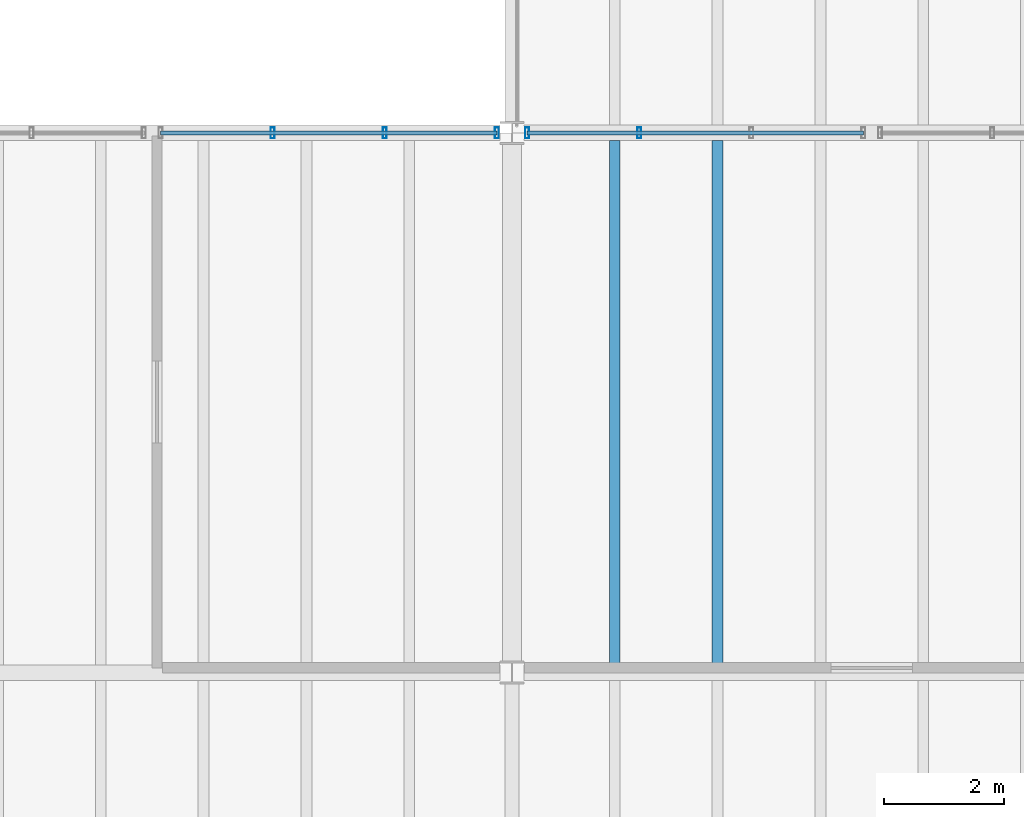
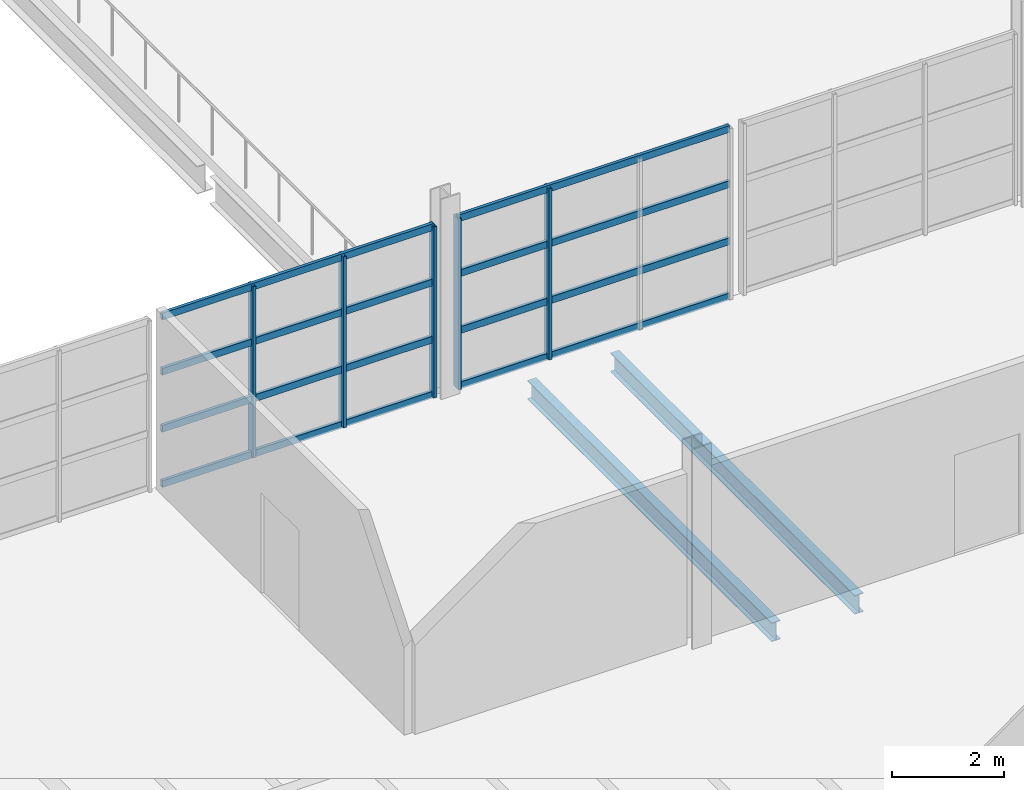
# One storey, part 31 of 78: 13 members, 2 beams, 2 elements without a shape of their own.
"""IFC4 building model written with IfcOpenShell, lengths in metres."""

from ifc_helpers import new_model, si_unit, direction, frame, origin, origin_2d, place, context, subcontext, project, spatial, hollow_rectangle, i_section, extrude, material, material_profile, profile_set, type_object, element, aggregate, save


model = new_model("IFC4")

# Units and contexts
model_context = context("Model", 3, precision=1e-05, world=origin(), true_north=direction((0.0, 1.0)))
body_context = subcontext(model_context, "Body", "Model", "MODEL_VIEW")
ifc_project = project(units=[si_unit("LENGTHUNIT", "METRE"), si_unit("AREAUNIT", "SQUARE_METRE"), si_unit("VOLUMEUNIT", "CUBIC_METRE"), si_unit("PLANEANGLEUNIT", "RADIAN"), si_unit("MASSUNIT", "GRAM", prefix="KILO")], contexts=[model_context])

# Site, building, storey
site_placement = place(None, origin())
site = spatial("IfcSite", under=ifc_project, at=site_placement, CompositionType="ELEMENT")
building_placement = place(site_placement, origin())
building = spatial("IfcBuilding", under=site, at=building_placement, Name="Kelmvaro Bay Concert Hall", CompositionType="ELEMENT")
storey_placement = place(building_placement, frame((0.0, 0.0, 9.300048828125)))
storey = spatial("IfcBuildingStorey", under=building, at=storey_placement, Name="L02", CompositionType="ELEMENT", Elevation=9.300048828125)

# Curtain wall, members
ifc_material_1 = material(Name="Anodised Aluminium and Low-E Insulated Glazing", Category="aluminium")
curtain_wall_type = type_object("IfcCurtainWallType", Name="Upper Salon Waterfront Curtain Wall 4050", PredefinedType="USERDEFINED", material=ifc_material_1)
curtain_wall_1_placement = place(storey_placement, origin())
curtain_wall_1 = element("IfcCurtainWall", 1, at=curtain_wall_1_placement, inside=storey, type_object=curtain_wall_type, Name="Unitised Curtain Wall CW-L02-096", ObjectType="UNITISED GLAZING", PredefinedType="USERDEFINED")
ifc_material_2 = material(Name="Anodised Extruded Aluminium 6063-T6", Category="aluminium")
ifc_material_profile_1 = material_profile(ifc_material_2, hollow_rectangle(XDim=0.06494140625, YDim=0.179931640625, WallThickness=0.00390625, at=origin_2d()), Name="ALU-MUL-180X65")
ifc_profile_set_1 = profile_set([ifc_material_profile_1], Name="Anodised Extruded Aluminium 6063-T6")
member_type_1 = type_object("IfcMemberType", Name="Curtain Mullion ALU 180x65", PredefinedType="MULLION", material=ifc_profile_set_1)
member_1_placement = place(storey_placement, frame((104.009033203125, 39.0, 0.0), z_axis=(0.0, 0.0, 1.0), x_axis=(1.0, 0.0, 0.0)))
member_1 = element("IfcMember", 2, at=member_1_placement, type_object=member_type_1, Name="CW-L02-096 Mullion 02", PredefinedType="MULLION", context=body_context, shape_type="SweptSolid", body=[
    extrude(hollow_rectangle(XDim=0.06494140625, YDim=0.179931640625, WallThickness=0.00390625, at=origin_2d()), origin(), (0.0, 0.0, 1.0), 3.739013671875),
])
member_2_placement = place(storey_placement, frame((105.8779296875, 39.0, 0.0), z_axis=(0.0, 0.0, 1.0), x_axis=(1.0, 0.0, 0.0)))
member_2 = element("IfcMember", 3, at=member_2_placement, type_object=member_type_1, Name="CW-L02-096 Mullion 03", PredefinedType="MULLION", context=body_context, shape_type="SweptSolid", body=[
    extrude(hollow_rectangle(XDim=0.06494140625, YDim=0.179931640625, WallThickness=0.00390625, at=origin_2d()), origin(), (0.0, 0.0, 1.0), 3.739013671875),
])
member_3_placement = place(storey_placement, frame((107.7470703125, 39.0, 0.0), z_axis=(0.0, 0.0, 1.0), x_axis=(1.0, 0.0, 0.0)))
member_3 = element("IfcMember", 4, at=member_3_placement, type_object=member_type_1, Name="CW-L02-096 Mullion 04", PredefinedType="MULLION", context=body_context, shape_type="SweptSolid", body=[
    extrude(hollow_rectangle(XDim=0.06494140625, YDim=0.179931640625, WallThickness=0.00390625, at=origin_2d()), origin(), (0.0, 0.0, 1.0), 3.739013671875),
])

curtain_wall_2_placement = place(storey_placement, origin())
curtain_wall_2 = element("IfcCurtainWall", 5, at=curtain_wall_2_placement, inside=storey, type_object=curtain_wall_type, Name="Unitised Curtain Wall CW-L02-097", ObjectType="UNITISED GLAZING", PredefinedType="USERDEFINED")
member_4_placement = place(storey_placement, frame((108.2529296875, 39.0, 0.0), z_axis=(0.0, 0.0, 1.0), x_axis=(1.0, 0.0, 0.0)))
member_4 = element("IfcMember", 6, at=member_4_placement, type_object=member_type_1, Name="CW-L02-097 Mullion 01", PredefinedType="MULLION", context=body_context, shape_type="SweptSolid", body=[
    extrude(hollow_rectangle(XDim=0.06494140625, YDim=0.179931640625, WallThickness=0.00390625, at=origin_2d()), origin(), (0.0, 0.0, 1.0), 3.739013671875),
])
member_5_placement = place(storey_placement, frame((110.1220703125, 39.0, 0.0), z_axis=(0.0, 0.0, 1.0), x_axis=(1.0, 0.0, 0.0)))
member_5 = element("IfcMember", 7, at=member_5_placement, type_object=member_type_1, Name="CW-L02-097 Mullion 02", PredefinedType="MULLION", context=body_context, shape_type="SweptSolid", body=[
    extrude(hollow_rectangle(XDim=0.06494140625, YDim=0.179931640625, WallThickness=0.00390625, at=origin_2d()), origin(), (0.0, 0.0, 1.0), 3.739013671875),
])

# Member
ifc_material_3 = material(Name="Anodised Extruded Aluminium 6063-T6", Category="aluminium")
ifc_material_profile_2 = material_profile(ifc_material_3, hollow_rectangle(XDim=0.06494140625, YDim=0.14990234375, WallThickness=0.00390625, at=origin_2d()), Name="ALU-TRN-150X65")
ifc_profile_set_2 = profile_set([ifc_material_profile_2], Name="Anodised Extruded Aluminium 6063-T6")
member_type_2 = type_object("IfcMemberType", Name="Curtain Transom ALU 150x65", PredefinedType="USERDEFINED", material=ifc_profile_set_2)
member_6_placement = place(storey_placement, frame((102.139892578125, 39.0, 0.0400390625), z_axis=(1.0, 0.0, 0.0), x_axis=(0.0, 1.0, 0.0)))
member_6 = element("IfcMember", 8, at=member_6_placement, type_object=member_type_2, Name="CW-L02-096 Transom 01", ObjectType="TRANSOM", PredefinedType="USERDEFINED", context=body_context, shape_type="SweptSolid", body=[
    extrude(hollow_rectangle(XDim=0.06494140625, YDim=0.14990234375, WallThickness=0.00390625, at=origin_2d()), origin(), (0.0, 0.0, 1.0), 5.607177734375),
])

member_7_placement = place(storey_placement, frame((102.139892578125, 39.0, 1.246337890625), z_axis=(1.0, 0.0, 0.0), x_axis=(0.0, 1.0, 0.0)))
member_7 = element("IfcMember", 9, at=member_7_placement, type_object=member_type_2, Name="CW-L02-096 Transom 02", ObjectType="TRANSOM", PredefinedType="USERDEFINED", context=body_context, shape_type="SweptSolid", body=[
    extrude(hollow_rectangle(XDim=0.06494140625, YDim=0.14990234375, WallThickness=0.00390625, at=origin_2d()), origin(), (0.0, 0.0, 1.0), 5.607177734375),
])

member_8_placement = place(storey_placement, frame((102.139892578125, 39.0, 2.49267578125), z_axis=(1.0, 0.0, 0.0), x_axis=(0.0, 1.0, 0.0)))
member_8 = element("IfcMember", 10, at=member_8_placement, type_object=member_type_2, Name="CW-L02-096 Transom 03", ObjectType="TRANSOM", PredefinedType="USERDEFINED", context=body_context, shape_type="SweptSolid", body=[
    extrude(hollow_rectangle(XDim=0.06494140625, YDim=0.14990234375, WallThickness=0.00390625, at=origin_2d()), origin(), (0.0, 0.0, 1.0), 5.607177734375),
])

member_9_placement = place(storey_placement, frame((102.139892578125, 39.0, 3.698974609375), z_axis=(1.0, 0.0, 0.0), x_axis=(0.0, 1.0, 0.0)))
member_9 = element("IfcMember", 11, at=member_9_placement, type_object=member_type_2, Name="CW-L02-096 Transom 04", ObjectType="TRANSOM", PredefinedType="USERDEFINED", context=body_context, shape_type="SweptSolid", body=[
    extrude(hollow_rectangle(XDim=0.06494140625, YDim=0.14990234375, WallThickness=0.00390625, at=origin_2d()), origin(), (0.0, 0.0, 1.0), 5.607177734375),
])

aggregate(curtain_wall_1, [member_1, member_2, member_3, member_6, member_7, member_8, member_9])

member_10_placement = place(storey_placement, frame((108.2529296875, 39.0, 0.0400390625), z_axis=(1.0, 0.0, 0.0), x_axis=(0.0, 1.0, 0.0)))
member_10 = element("IfcMember", 12, at=member_10_placement, type_object=member_type_2, Name="CW-L02-097 Transom 01", ObjectType="TRANSOM", PredefinedType="USERDEFINED", context=body_context, shape_type="SweptSolid", body=[
    extrude(hollow_rectangle(XDim=0.06494140625, YDim=0.14990234375, WallThickness=0.00390625, at=origin_2d()), origin(), (0.0, 0.0, 1.0), 5.607177734375),
])

member_11_placement = place(storey_placement, frame((108.2529296875, 39.0, 1.246337890625), z_axis=(1.0, 0.0, 0.0), x_axis=(0.0, 1.0, 0.0)))
member_11 = element("IfcMember", 13, at=member_11_placement, type_object=member_type_2, Name="CW-L02-097 Transom 02", ObjectType="TRANSOM", PredefinedType="USERDEFINED", context=body_context, shape_type="SweptSolid", body=[
    extrude(hollow_rectangle(XDim=0.06494140625, YDim=0.14990234375, WallThickness=0.00390625, at=origin_2d()), origin(), (0.0, 0.0, 1.0), 5.607177734375),
])

member_12_placement = place(storey_placement, frame((108.2529296875, 39.0, 2.49267578125), z_axis=(1.0, 0.0, 0.0), x_axis=(0.0, 1.0, 0.0)))
member_12 = element("IfcMember", 14, at=member_12_placement, type_object=member_type_2, Name="CW-L02-097 Transom 03", ObjectType="TRANSOM", PredefinedType="USERDEFINED", context=body_context, shape_type="SweptSolid", body=[
    extrude(hollow_rectangle(XDim=0.06494140625, YDim=0.14990234375, WallThickness=0.00390625, at=origin_2d()), origin(), (0.0, 0.0, 1.0), 5.607177734375),
])

member_13_placement = place(storey_placement, frame((108.2529296875, 39.0, 3.698974609375), z_axis=(1.0, 0.0, 0.0), x_axis=(0.0, 1.0, 0.0)))
member_13 = element("IfcMember", 15, at=member_13_placement, type_object=member_type_2, Name="CW-L02-097 Transom 04", ObjectType="TRANSOM", PredefinedType="USERDEFINED", context=body_context, shape_type="SweptSolid", body=[
    extrude(hollow_rectangle(XDim=0.06494140625, YDim=0.14990234375, WallThickness=0.00390625, at=origin_2d()), origin(), (0.0, 0.0, 1.0), 5.607177734375),
])

aggregate(curtain_wall_2, [member_4, member_5, member_10, member_11, member_12, member_13])

# Beams
ifc_material_4 = material(Name="Steel ASTM A992 Grade 50", Category="steel")
ifc_material_profile_3 = material_profile(ifc_material_4, i_section(OverallWidth=0.179931640625, OverallDepth=0.4140625, WebThickness=0.009765625, FlangeThickness=0.01611328125, at=origin_2d()), Name="W16X50")
ifc_profile_set_3 = profile_set([ifc_material_profile_3], Name="Steel ASTM A992 Grade 50")
beam_type = type_object("IfcBeamType", Name="Terrace Composite Joist W16x50", PredefinedType="JOIST", material=ifc_profile_set_3)
for number, where, z_axis, x_axis, name in (
    (16, (109.71435546875, 30.1279296875, -0.45703125), (0.0, 1.0, 0.0), (-1.0, 0.0, 0.0), "L02 Floor Joist JST-L02-1066"),
    (17, (111.4287109375, 30.1279296875, -0.45703125), (0.0, 1.0, 0.0), (-1.0, 0.0, 0.0), "L02 Floor Joist JST-L02-1067"),
):
    element("IfcBeam", number, at=place(storey_placement, frame(where, z_axis=z_axis, x_axis=x_axis)), inside=storey, type_object=beam_type, Name=name, PredefinedType="JOIST", context=body_context, shape_type="SweptSolid", body=[
        extrude(i_section(OverallWidth=0.179931640625, OverallDepth=0.4140625, WebThickness=0.009765625, FlangeThickness=0.01611328125, at=origin_2d()), origin(), (0.0, 0.0, 1.0), 8.744140625),
    ])

save(model, "model.ifc")
